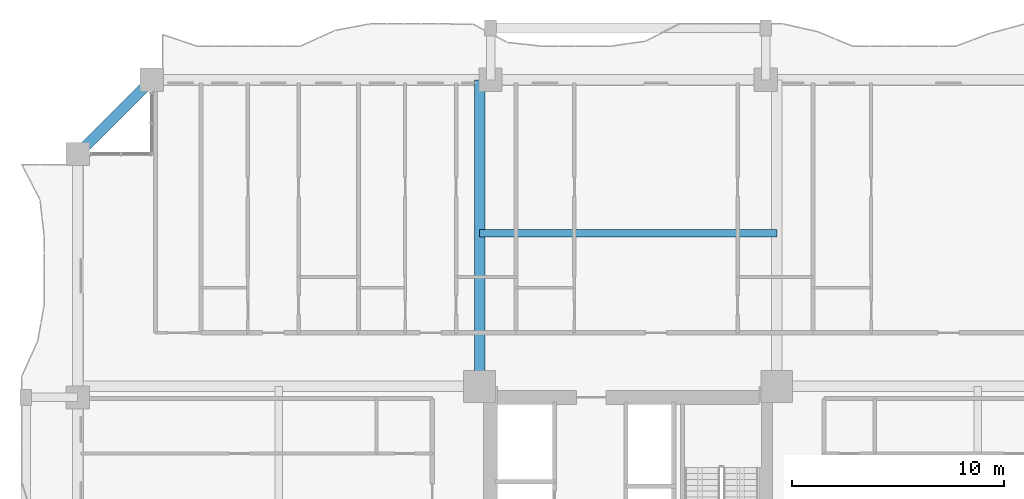
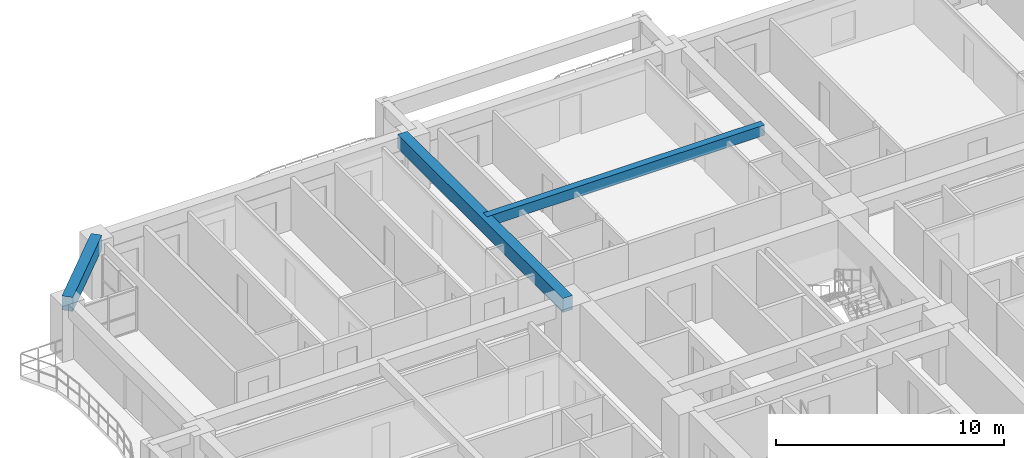
# One storey, part 7 of 27: 3 beams.
"""IFC4 building model written with IfcOpenShell, lengths in metres."""

from ifc_helpers import new_model, si_unit, direction, frame, origin, origin_2d, place, context, subcontext, project, spatial, rectangle, extrude, source, transform, mapped, material, material_profile, profile_set, type_object, element, save


model = new_model("IFC4")

# Units and contexts
model_context = context("Model", 3, precision=1e-05, world=origin(), true_north=direction((0.0, 1.0)))
body_context = subcontext(model_context, "Body", "Model", "MODEL_VIEW")
ifc_project = project(units=[si_unit("LENGTHUNIT", "METRE"), si_unit("AREAUNIT", "SQUARE_METRE"), si_unit("VOLUMEUNIT", "CUBIC_METRE"), si_unit("PLANEANGLEUNIT", "RADIAN"), si_unit("MASSUNIT", "GRAM", prefix="KILO")], contexts=[model_context])

# Site, building, storey
site_placement = place(None, origin())
site = spatial("IfcSite", under=ifc_project, at=site_placement, CompositionType="ELEMENT")
building_placement = place(site_placement, origin())
building = spatial("IfcBuilding", under=site, at=building_placement, Name="Saelheon Loggia Tower", CompositionType="ELEMENT")
storey_placement = place(building_placement, frame((0.0, 0.0, 52.39990234375)))
storey = spatial("IfcBuildingStorey", under=building, at=storey_placement, Name="L16", CompositionType="ELEMENT", Elevation=52.39990234375)

# Beams
ifc_material_1 = material(Name="Concrete C45/55", Category="concrete")
ifc_material_profile_1 = material_profile(ifc_material_1, rectangle(XDim=0.5, YDim=0.75, at=origin_2d()), Name="RC-500x750")
ifc_profile_set_1 = profile_set([ifc_material_profile_1], Name="Concrete C45/55")
beam_type_1 = type_object("IfcBeamType", Name="Beam_FloorGirder_RC500x750", PredefinedType="BEAM", material=ifc_profile_set_1)
shared_shape_1 = source(origin(), body_context, "Body", "SweptSolid", [
    extrude(rectangle(XDim=0.5, YDim=0.75, at=origin_2d()), origin(), (0.0, 0.0, 1.0), 14.47998046875),
])
beam_1_placement = place(storey_placement, frame((30.97998046875, 36.52001953125, 2.625), z_axis=(0.0, 1.0, 0.0), x_axis=(-1.0, 0.0, 0.0)))
element("IfcBeam", 1, at=beam_1_placement, inside=storey, type_object=beam_type_1, Name="L16 Radial Floor Girder RAD-NW-N", PredefinedType="BEAM", context=body_context, shape_type="MappedRepresentation", body=[
    mapped(shared_shape_1, transform((0.0, 0.0, 0.0), scale=1.0)),
])
ifc_material_profile_2 = material_profile(ifc_material_1, rectangle(XDim=0.5, YDim=0.75, at=origin_2d()), Name="RC-500x750")
ifc_profile_set_2 = profile_set([ifc_material_profile_2], Name="Concrete C45/55")
beam_type_2 = type_object("IfcBeamType", Name="Beam_PerimGirder_RC500x750", PredefinedType="BEAM", material=ifc_profile_set_2)
shared_shape_2 = source(origin(), body_context, "Body", "SweptSolid", [
    extrude(rectangle(XDim=0.5, YDim=0.75, at=origin_2d()), origin(), (0.0, 0.0, 1.0), 4.94970703125),
])
beam_2_placement = place(storey_placement, frame((15.5, 51.0, 2.625), z_axis=(-0.707106781187, -0.707106781187, 0.0), x_axis=(0.707106781187, -0.707106781187, 0.0)))
element("IfcBeam", 2, at=beam_2_placement, inside=storey, type_object=beam_type_2, Name="L16 Perimeter Frame Girder 12", PredefinedType="BEAM", context=body_context, shape_type="MappedRepresentation", body=[
    mapped(shared_shape_2, transform((0.0, 0.0, 0.0), scale=1.0)),
])
ifc_material_2 = material(Name="Concrete C40/50", Category="concrete")
ifc_material_profile_3 = material_profile(ifc_material_2, rectangle(XDim=0.35009765625, YDim=0.550048828125, at=origin_2d()), Name="RC-350x550")
ifc_profile_set_3 = profile_set([ifc_material_profile_3], Name="Concrete C40/50")
beam_type_3 = type_object("IfcBeamType", Name="Beam_Joist_RC350x550", PredefinedType="JOIST", material=ifc_profile_set_3)
shared_shape_3 = source(origin(), body_context, "Body", "SweptSolid", [
    extrude(rectangle(XDim=0.35009765625, YDim=0.550048828125, at=origin_2d()), origin(), (0.0, 0.0, 1.0), 14.0400390625),
])
beam_3_placement = place(storey_placement, frame((30.97998046875, 43.760009765625, 2.72509765625), z_axis=(1.0, 0.0, 0.0), x_axis=(0.0, 1.0, 0.0)))
element("IfcBeam", 3, at=beam_3_placement, inside=storey, type_object=beam_type_3, Name="L16 North Floor Joist", PredefinedType="JOIST", context=body_context, shape_type="MappedRepresentation", body=[
    mapped(shared_shape_3, transform((0.0, 0.0, 0.0), scale=1.0)),
])

save(model, "model.ifc")
